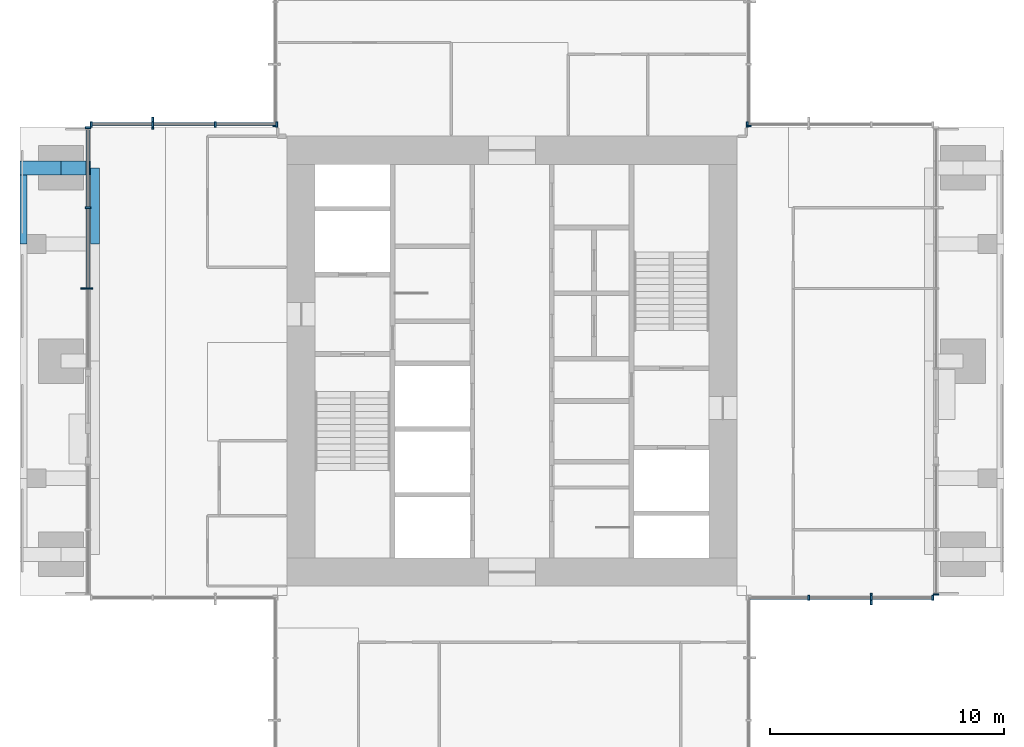
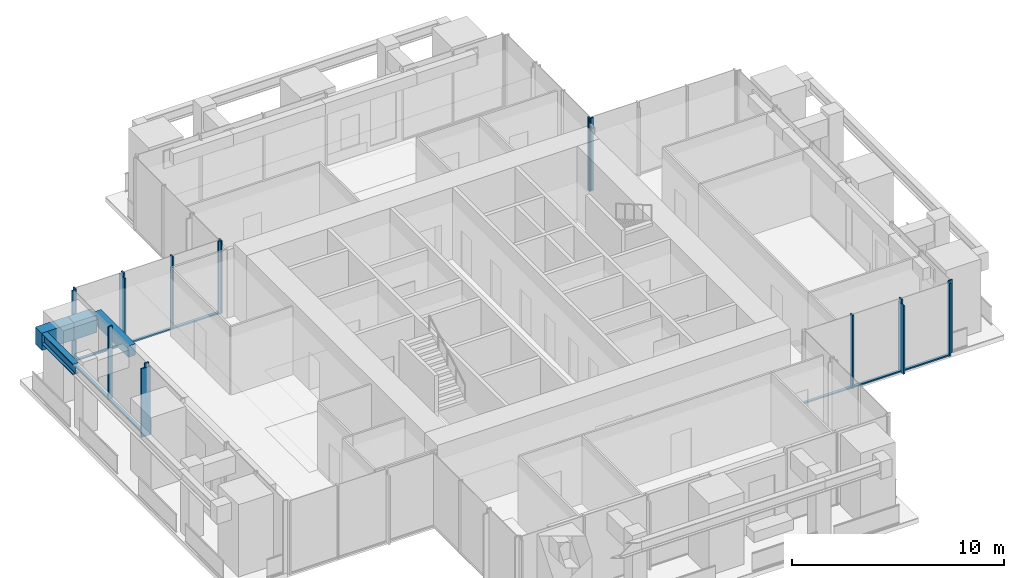
# One storey, part 3 of 12: 25 members, 4 beams, 7 elements without a shape of their own.
"""IFC4 building model written with IfcOpenShell, lengths in metres."""

from ifc_helpers import new_model, si_unit, direction, frame, origin, origin_2d, place, context, subcontext, project, spatial, rectangle, i_section, extrude, material, material_profile, profile_set, type_object, element, aggregate, save


model = new_model("IFC4")

# Units and contexts
model_context = context("Model", 3, precision=1e-05, world=origin(), true_north=direction((0.0, 1.0)))
body_context = subcontext(model_context, "Body", "Model", "MODEL_VIEW")
ifc_project = project(units=[si_unit("LENGTHUNIT", "METRE"), si_unit("AREAUNIT", "SQUARE_METRE"), si_unit("VOLUMEUNIT", "CUBIC_METRE"), si_unit("PLANEANGLEUNIT", "RADIAN"), si_unit("MASSUNIT", "GRAM", prefix="KILO")], contexts=[model_context])

# Site, building, storey
site_placement = place(None, origin())
site = spatial("IfcSite", under=ifc_project, at=site_placement, CompositionType="ELEMENT")
building_placement = place(site_placement, origin())
building = spatial("IfcBuilding", under=site, at=building_placement, Name="Svetlomir Tower", CompositionType="ELEMENT")
storey_placement = place(building_placement, frame((0.0, 0.0, 244.0)))
storey = spatial("IfcBuildingStorey", under=building, at=storey_placement, Name="L58", CompositionType="ELEMENT", Elevation=244.0)

# Curtain wall, member
ifc_material_1 = material(Name="Bronze anodised aluminium curtain wall", Category="aluminium")
curtain_wall_type = type_object("IfcCurtainWallType", Name="CURTAIN WALL CW4 EXECUTIVE", PredefinedType="NOTDEFINED", material=ifc_material_1)
curtain_wall_1_placement = place(storey_placement, origin())
curtain_wall_1 = element("IfcCurtainWall", 1, at=curtain_wall_1_placement, inside=storey, type_object=curtain_wall_type, Name="Curtain wall CW4 L58", PredefinedType="NOTDEFINED")
ifc_material_2 = material(Name="Bronze anodised aluminium", Category="aluminium")
ifc_material_profile_1 = material_profile(ifc_material_2, rectangle(XDim=0.080078125, YDim=0.5, at=origin_2d()), Name="FIN 80x500")
ifc_profile_set_1 = profile_set([ifc_material_profile_1], Name="Bronze anodised aluminium 6063-T6")
member_type_1 = type_object("IfcMemberType", Name="BRONZE FIN 80x500", PredefinedType="USERDEFINED", material=ifc_profile_set_1)
member_1_placement = place(storey_placement, frame((36.333251953125, 10.85009765625, 0.0), z_axis=(0.0, 0.0, 1.0), x_axis=(1.0, 0.0, 0.0)))
member_1 = element("IfcMember", 2, at=member_1_placement, type_object=member_type_1, Name="Bronze fin L58", ObjectType="FIN", PredefinedType="USERDEFINED", context=body_context, shape_type="SweptSolid", body=[
    extrude(rectangle(XDim=0.080078125, YDim=0.5, at=origin_2d()), origin(), (0.0, 0.0, 1.0), 3.949951171875),
])

curtain_wall_2_placement = place(storey_placement, origin())
curtain_wall_2 = element("IfcCurtainWall", 3, at=curtain_wall_2_placement, inside=storey, type_object=curtain_wall_type, Name="Curtain wall CW4 L58", PredefinedType="NOTDEFINED")
member_2_placement = place(storey_placement, frame((5.666748046875, 31.14990234375, 0.0), z_axis=(0.0, 0.0, 1.0), x_axis=(1.0, 0.0, 0.0)))
member_2 = element("IfcMember", 4, at=member_2_placement, type_object=member_type_1, Name="Bronze fin L58", ObjectType="FIN", PredefinedType="USERDEFINED", context=body_context, shape_type="SweptSolid", body=[
    extrude(rectangle(XDim=0.080078125, YDim=0.5, at=origin_2d()), origin(), (0.0, 0.0, 1.0), 3.949951171875),
])

curtain_wall_3_placement = place(storey_placement, origin())
curtain_wall_3 = element("IfcCurtainWall", 5, at=curtain_wall_3_placement, inside=storey, type_object=curtain_wall_type, Name="Curtain wall CW4 L58", PredefinedType="NOTDEFINED")
member_3_placement = place(storey_placement, frame((2.85009765625, 24.10009765625, 0.0), z_axis=(0.0, 0.0, 1.0), x_axis=(0.0, 1.0, 0.0)))
member_3 = element("IfcMember", 6, at=member_3_placement, type_object=member_type_1, Name="Bronze fin L58", ObjectType="FIN", PredefinedType="USERDEFINED", context=body_context, shape_type="SweptSolid", body=[
    extrude(rectangle(XDim=0.080078125, YDim=0.5, at=origin_2d()), origin(), (0.0, 0.0, 1.0), 3.949951171875),
])

# Member
ifc_material_3 = material(Name="Bronze anodised aluminium", Category="aluminium")
ifc_material_profile_2 = material_profile(ifc_material_3, rectangle(XDim=0.074951171875, YDim=0.219970703125, at=origin_2d()), Name="AL 75x220")
ifc_profile_set_2 = profile_set([ifc_material_profile_2], Name="Bronze anodised aluminium 6063-T6")
member_type_2 = type_object("IfcMemberType", Name="CW4 MULLION 75x220", PredefinedType="MULLION", material=ifc_profile_set_2)
member_4_placement = place(storey_placement, frame((33.666748046875, 10.89990234375, 0.0), z_axis=(0.0, 0.0, 1.0), x_axis=(1.0, 0.0, 0.0)))
member_4 = element("IfcMember", 7, at=member_4_placement, type_object=member_type_2, Name="CW4 mullion 2", PredefinedType="MULLION", context=body_context, shape_type="SweptSolid", body=[
    extrude(rectangle(XDim=0.074951171875, YDim=0.219970703125, at=origin_2d()), origin(), (0.0, 0.0, 1.0), 4.199951171875),
])

member_5_placement = place(storey_placement, frame((36.333251953125, 10.89990234375, 0.0), z_axis=(0.0, 0.0, 1.0), x_axis=(1.0, 0.0, 0.0)))
member_5 = element("IfcMember", 8, at=member_5_placement, type_object=member_type_2, Name="CW4 mullion 3", PredefinedType="MULLION", context=body_context, shape_type="SweptSolid", body=[
    extrude(rectangle(XDim=0.074951171875, YDim=0.219970703125, at=origin_2d()), origin(), (0.0, 0.0, 1.0), 4.199951171875),
])

member_6_placement = place(storey_placement, frame((38.96240234375, 10.89990234375, 0.0), z_axis=(0.0, 0.0, 1.0), x_axis=(1.0, 0.0, 0.0)))
member_6 = element("IfcMember", 9, at=member_6_placement, type_object=member_type_2, Name="CW4 mullion 4", PredefinedType="MULLION", context=body_context, shape_type="SweptSolid", body=[
    extrude(rectangle(XDim=0.074951171875, YDim=0.219970703125, at=origin_2d()), origin(), (0.0, 0.0, 1.0), 4.199951171875),
])

# Curtain wall, member
curtain_wall_4_placement = place(storey_placement, origin())
curtain_wall_4 = element("IfcCurtainWall", 10, at=curtain_wall_4_placement, inside=storey, type_object=curtain_wall_type, Name="Curtain wall CW4 L58", PredefinedType="NOTDEFINED")
member_7_placement = place(storey_placement, frame((39.10009765625, 11.03759765625, 0.0), z_axis=(0.0, 0.0, 1.0), x_axis=(0.0, 1.0, 0.0)))
member_7 = element("IfcMember", 11, at=member_7_placement, type_object=member_type_2, Name="CW4 mullion 1", PredefinedType="MULLION", context=body_context, shape_type="SweptSolid", body=[
    extrude(rectangle(XDim=0.074951171875, YDim=0.219970703125, at=origin_2d()), origin(), (0.0, 0.0, 1.0), 4.199951171875),
])
aggregate(curtain_wall_4, [member_7])

curtain_wall_5_placement = place(storey_placement, origin())
curtain_wall_5 = element("IfcCurtainWall", 12, at=curtain_wall_5_placement, inside=storey, type_object=curtain_wall_type, Name="Curtain wall CW4 L58", PredefinedType="NOTDEFINED")
member_8_placement = place(storey_placement, frame((31.03759765625, 31.10009765625, 0.0), z_axis=(0.0, 0.0, 1.0), x_axis=(-1.0, 0.0, 0.0)))
member_8 = element("IfcMember", 13, at=member_8_placement, type_object=member_type_2, Name="CW4 mullion 4", PredefinedType="MULLION", context=body_context, shape_type="SweptSolid", body=[
    extrude(rectangle(XDim=0.074951171875, YDim=0.219970703125, at=origin_2d()), origin(), (0.0, 0.0, 1.0), 4.199951171875),
])
aggregate(curtain_wall_5, [member_8])

curtain_wall_6_placement = place(storey_placement, origin())
curtain_wall_6 = element("IfcCurtainWall", 14, at=curtain_wall_6_placement, inside=storey, type_object=curtain_wall_type, Name="Curtain wall CW4 L58", PredefinedType="NOTDEFINED")
member_9_placement = place(storey_placement, frame((31.10009765625, 31.03759765625, 0.0), z_axis=(0.0, 0.0, 1.0), x_axis=(0.0, 1.0, 0.0)))
member_9 = element("IfcMember", 15, at=member_9_placement, type_object=member_type_2, Name="CW4 mullion 1", PredefinedType="MULLION", context=body_context, shape_type="SweptSolid", body=[
    extrude(rectangle(XDim=0.074951171875, YDim=0.219970703125, at=origin_2d()), origin(), (0.0, 0.0, 1.0), 4.199951171875),
])
aggregate(curtain_wall_6, [member_9])

curtain_wall_7_placement = place(storey_placement, origin())
curtain_wall_7 = element("IfcCurtainWall", 16, at=curtain_wall_7_placement, inside=storey, type_object=curtain_wall_type, Name="Curtain wall CW4 L58", PredefinedType="NOTDEFINED")
member_10_placement = place(storey_placement, frame((10.89990234375, 31.03759765625, 0.0), z_axis=(0.0, 0.0, 1.0), x_axis=(0.0, -1.0, 0.0)))
member_10 = element("IfcMember", 17, at=member_10_placement, type_object=member_type_2, Name="CW4 mullion 4", PredefinedType="MULLION", context=body_context, shape_type="SweptSolid", body=[
    extrude(rectangle(XDim=0.074951171875, YDim=0.219970703125, at=origin_2d()), origin(), (0.0, 0.0, 1.0), 4.199951171875),
])
aggregate(curtain_wall_7, [member_10])

# Member
member_11_placement = place(storey_placement, frame((10.96240234375, 31.10009765625, 0.0), z_axis=(0.0, 0.0, 1.0), x_axis=(-1.0, 0.0, 0.0)))
member_11 = element("IfcMember", 18, at=member_11_placement, type_object=member_type_2, Name="CW4 mullion 1", PredefinedType="MULLION", context=body_context, shape_type="SweptSolid", body=[
    extrude(rectangle(XDim=0.074951171875, YDim=0.219970703125, at=origin_2d()), origin(), (0.0, 0.0, 1.0), 4.199951171875),
])

member_12_placement = place(storey_placement, frame((8.333251953125, 31.10009765625, 0.0), z_axis=(0.0, 0.0, 1.0), x_axis=(-1.0, 0.0, 0.0)))
member_12 = element("IfcMember", 19, at=member_12_placement, type_object=member_type_2, Name="CW4 mullion 2", PredefinedType="MULLION", context=body_context, shape_type="SweptSolid", body=[
    extrude(rectangle(XDim=0.074951171875, YDim=0.219970703125, at=origin_2d()), origin(), (0.0, 0.0, 1.0), 4.199951171875),
])

member_13_placement = place(storey_placement, frame((5.666748046875, 31.10009765625, 0.0), z_axis=(0.0, 0.0, 1.0), x_axis=(-1.0, 0.0, 0.0)))
member_13 = element("IfcMember", 20, at=member_13_placement, type_object=member_type_2, Name="CW4 mullion 3", PredefinedType="MULLION", context=body_context, shape_type="SweptSolid", body=[
    extrude(rectangle(XDim=0.074951171875, YDim=0.219970703125, at=origin_2d()), origin(), (0.0, 0.0, 1.0), 4.199951171875),
])

member_14_placement = place(storey_placement, frame((3.03759765625, 31.10009765625, 0.0), z_axis=(0.0, 0.0, 1.0), x_axis=(-1.0, 0.0, 0.0)))
member_14 = element("IfcMember", 21, at=member_14_placement, type_object=member_type_2, Name="CW4 mullion 4", PredefinedType="MULLION", context=body_context, shape_type="SweptSolid", body=[
    extrude(rectangle(XDim=0.074951171875, YDim=0.219970703125, at=origin_2d()), origin(), (0.0, 0.0, 1.0), 4.199951171875),
])

member_15_placement = place(storey_placement, frame((2.89990234375, 30.96240234375, 0.0), z_axis=(0.0, 0.0, 1.0), x_axis=(0.0, -1.0, 0.0)))
member_15 = element("IfcMember", 22, at=member_15_placement, type_object=member_type_2, Name="CW4 mullion 1", PredefinedType="MULLION", context=body_context, shape_type="SweptSolid", body=[
    extrude(rectangle(XDim=0.074951171875, YDim=0.219970703125, at=origin_2d()), origin(), (0.0, 0.0, 1.0), 4.199951171875),
])

member_16_placement = place(storey_placement, frame((2.89990234375, 27.550048828125, 0.0), z_axis=(0.0, 0.0, 1.0), x_axis=(0.0, -1.0, 0.0)))
member_16 = element("IfcMember", 23, at=member_16_placement, type_object=member_type_2, Name="CW4 mullion 2", PredefinedType="MULLION", context=body_context, shape_type="SweptSolid", body=[
    extrude(rectangle(XDim=0.074951171875, YDim=0.219970703125, at=origin_2d()), origin(), (0.0, 0.0, 1.0), 4.199951171875),
])

member_17_placement = place(storey_placement, frame((2.89990234375, 24.10009765625, 0.0), z_axis=(0.0, 0.0, 1.0), x_axis=(0.0, -1.0, 0.0)))
member_17 = element("IfcMember", 24, at=member_17_placement, type_object=member_type_2, Name="CW4 mullion 3", PredefinedType="MULLION", context=body_context, shape_type="SweptSolid", body=[
    extrude(rectangle(XDim=0.074951171875, YDim=0.219970703125, at=origin_2d()), origin(), (0.0, 0.0, 1.0), 4.199951171875),
])

ifc_material_4 = material(Name="Bronze anodised aluminium", Category="aluminium")
ifc_material_profile_3 = material_profile(ifc_material_4, rectangle(XDim=0.14990234375, YDim=0.074951171875, at=origin_2d()), Name="AL 150x75")
ifc_profile_set_3 = profile_set([ifc_material_profile_3], Name="Bronze anodised aluminium 6063-T6")
member_type_3 = type_object("IfcMemberType", Name="CW4 TRANSOM 75x150", PredefinedType="USERDEFINED", material=ifc_profile_set_3)
member_18_placement = place(storey_placement, frame((31.074951171875, 10.89990234375, 0.03759765625), z_axis=(1.0, 0.0, 0.0), x_axis=(0.0, 1.0, 0.0)))
member_18 = element("IfcMember", 25, at=member_18_placement, type_object=member_type_3, Name="CW4 transom 1.1", ObjectType="TRANSOM", PredefinedType="USERDEFINED", context=body_context, shape_type="SweptSolid", body=[
    extrude(rectangle(XDim=0.14990234375, YDim=0.074951171875, at=origin_2d()), origin(), (0.0, 0.0, 1.0), 2.55419921875),
])

member_19_placement = place(storey_placement, frame((33.7041015625, 10.89990234375, 0.03759765625), z_axis=(1.0, 0.0, 0.0), x_axis=(0.0, 1.0, 0.0)))
member_19 = element("IfcMember", 26, at=member_19_placement, type_object=member_type_3, Name="CW4 transom 2.1", ObjectType="TRANSOM", PredefinedType="USERDEFINED", context=body_context, shape_type="SweptSolid", body=[
    extrude(rectangle(XDim=0.14990234375, YDim=0.074951171875, at=origin_2d()), origin(), (0.0, 0.0, 1.0), 2.591796875),
])

member_20_placement = place(storey_placement, frame((36.370849609375, 10.89990234375, 0.03759765625), z_axis=(1.0, 0.0, 0.0), x_axis=(0.0, 1.0, 0.0)))
member_20 = element("IfcMember", 27, at=member_20_placement, type_object=member_type_3, Name="CW4 transom 3.1", ObjectType="TRANSOM", PredefinedType="USERDEFINED", context=body_context, shape_type="SweptSolid", body=[
    extrude(rectangle(XDim=0.14990234375, YDim=0.074951171875, at=origin_2d()), origin(), (0.0, 0.0, 1.0), 2.55419921875),
])

aggregate(curtain_wall_1, [member_4, member_5, member_6, member_18, member_19, member_20, member_1])

member_21_placement = place(storey_placement, frame((10.925048828125, 31.10009765625, 0.03759765625), z_axis=(-1.0, 0.0, 0.0), x_axis=(0.0, -1.0, 0.0)))
member_21 = element("IfcMember", 28, at=member_21_placement, type_object=member_type_3, Name="CW4 transom 1.1", ObjectType="TRANSOM", PredefinedType="USERDEFINED", context=body_context, shape_type="SweptSolid", body=[
    extrude(rectangle(XDim=0.14990234375, YDim=0.074951171875, at=origin_2d()), origin(), (0.0, 0.0, 1.0), 2.55419921875),
])

member_22_placement = place(storey_placement, frame((8.2958984375, 31.10009765625, 0.03759765625), z_axis=(-1.0, 0.0, 0.0), x_axis=(0.0, -1.0, 0.0)))
member_22 = element("IfcMember", 29, at=member_22_placement, type_object=member_type_3, Name="CW4 transom 2.1", ObjectType="TRANSOM", PredefinedType="USERDEFINED", context=body_context, shape_type="SweptSolid", body=[
    extrude(rectangle(XDim=0.14990234375, YDim=0.074951171875, at=origin_2d()), origin(), (0.0, 0.0, 1.0), 2.591796875),
])

member_23_placement = place(storey_placement, frame((5.629150390625, 31.10009765625, 0.03759765625), z_axis=(-1.0, 0.0, 0.0), x_axis=(0.0, -1.0, 0.0)))
member_23 = element("IfcMember", 30, at=member_23_placement, type_object=member_type_3, Name="CW4 transom 3.1", ObjectType="TRANSOM", PredefinedType="USERDEFINED", context=body_context, shape_type="SweptSolid", body=[
    extrude(rectangle(XDim=0.14990234375, YDim=0.074951171875, at=origin_2d()), origin(), (0.0, 0.0, 1.0), 2.55419921875),
])

aggregate(curtain_wall_2, [member_11, member_12, member_13, member_14, member_21, member_22, member_23, member_2])

member_24_placement = place(storey_placement, frame((2.89990234375, 30.925048828125, 0.03759765625), z_axis=(0.0, -1.0, 0.0), x_axis=(1.0, 0.0, 0.0)))
member_24 = element("IfcMember", 31, at=member_24_placement, type_object=member_type_3, Name="CW4 transom 1.1", ObjectType="TRANSOM", PredefinedType="USERDEFINED", context=body_context, shape_type="SweptSolid", body=[
    extrude(rectangle(XDim=0.14990234375, YDim=0.074951171875, at=origin_2d()), origin(), (0.0, 0.0, 1.0), 3.337646484375),
])

member_25_placement = place(storey_placement, frame((2.89990234375, 27.512451171875, 0.03759765625), z_axis=(0.0, -1.0, 0.0), x_axis=(1.0, 0.0, 0.0)))
member_25 = element("IfcMember", 32, at=member_25_placement, type_object=member_type_3, Name="CW4 transom 2.1", ObjectType="TRANSOM", PredefinedType="USERDEFINED", context=body_context, shape_type="SweptSolid", body=[
    extrude(rectangle(XDim=0.14990234375, YDim=0.074951171875, at=origin_2d()), origin(), (0.0, 0.0, 1.0), 3.375),
])

aggregate(curtain_wall_3, [member_15, member_16, member_17, member_24, member_25, member_3])

# Beams
ifc_material_5 = material(Name="Steel S355", Category="steel")
ifc_material_profile_4 = material_profile(ifc_material_5, i_section(OverallWidth=0.304931640625, OverallDepth=0.6201171875, WebThickness=0.02099609375, FlangeThickness=0.0400390625, FilletRadius=0.027099609375, at=origin_2d()), Name="HEM 600")
ifc_profile_set_4 = profile_set([ifc_material_profile_4], Name="Steel S355")
beam_type_1 = type_object("IfcBeamType", Name="EDGE BEAM HEM 600", PredefinedType="SPANDREL", material=ifc_profile_set_4)
beam_1_placement = place(storey_placement, frame((0.152587890625, 26.0, 3.639892578125), z_axis=(0.0, 1.0, 0.0), x_axis=(-1.0, 0.0, 0.0)))
element("IfcBeam", 33, at=beam_1_placement, inside=storey, type_object=beam_type_1, Name="Edge beam 0/26 to 0/31 under L59", PredefinedType="SPANDREL", context=body_context, shape_type="SweptSolid", body=[
    extrude(i_section(OverallWidth=0.304931640625, OverallDepth=0.6201171875, WebThickness=0.02099609375, FlangeThickness=0.0400390625, FilletRadius=0.027099609375, at=origin_2d()), origin(), (0.0, 0.0, 1.0), 2.949951171875),
])
ifc_material_6 = material(Name="Concrete C60/75", Category="concrete")
ifc_material_profile_5 = material_profile(ifc_material_6, rectangle(XDim=0.60009765625, YDim=1.0, at=origin_2d()), Name="RC 600x1000")
ifc_profile_set_5 = profile_set([ifc_material_profile_5], Name="Concrete C60/75")
beam_type_2 = type_object("IfcBeamType", Name="EDGE LINK BEAM RC 600x1000", PredefinedType="BEAM", material=ifc_profile_set_5)
beam_2_placement = place(storey_placement, frame((1.75, 29.25, 3.449951171875), z_axis=(-1.0, 0.0, 0.0), x_axis=(0.0, -1.0, 0.0)))
element("IfcBeam", 34, at=beam_2_placement, inside=storey, type_object=beam_type_2, Name="Edge link beam W 0/31 under L59", PredefinedType="BEAM", context=body_context, shape_type="SweptSolid", body=[
    extrude(rectangle(XDim=0.60009765625, YDim=1.0, at=origin_2d()), origin(), (0.0, 0.0, 1.0), 1.75),
])
ifc_material_7 = material(Name="Concrete C60/75", Category="concrete")
ifc_material_profile_6 = material_profile(ifc_material_7, rectangle(XDim=0.39990234375, YDim=0.64990234375, at=origin_2d()), Name="RC 400x650")
ifc_profile_set_6 = profile_set([ifc_material_profile_6], Name="Concrete C60/75")
beam_type_3 = type_object("IfcBeamType", Name="FACADE EDGE BEAM RC 400x650", PredefinedType="BEAM", material=ifc_profile_set_6)
beam_3_placement = place(storey_placement, frame((3.199951171875, 26.0, 3.625), z_axis=(0.0, 1.0, 0.0), x_axis=(-1.0, 0.0, 0.0)))
element("IfcBeam", 35, at=beam_3_placement, inside=storey, type_object=beam_type_3, Name="Facade edge beam W 26 to 31 under L59", PredefinedType="BEAM", context=body_context, shape_type="SweptSolid", body=[
    extrude(rectangle(XDim=0.39990234375, YDim=0.64990234375, at=origin_2d()), origin(), (0.0, 0.0, 1.0), 3.25),
])
ifc_material_8 = material(Name="Concrete C60/75", Category="concrete")
ifc_material_profile_7 = material_profile(ifc_material_8, rectangle(XDim=0.60009765625, YDim=1.0, at=origin_2d()), Name="RC 600x1000")
ifc_profile_set_7 = profile_set([ifc_material_profile_7], Name="Concrete C60/75")
beam_type_4 = type_object("IfcBeamType", Name="LOGGIA LINK BEAM RC 600x1000", PredefinedType="BEAM", material=ifc_profile_set_7)
beam_4_placement = place(storey_placement, frame((1.75, 29.25, 3.449951171875), z_axis=(1.0, 0.0, 0.0), x_axis=(0.0, 1.0, 0.0)))
element("IfcBeam", 36, at=beam_4_placement, inside=storey, type_object=beam_type_4, Name="Loggia link beam W 31 under L59", PredefinedType="BEAM", context=body_context, shape_type="SweptSolid", body=[
    extrude(rectangle(XDim=0.60009765625, YDim=1.0, at=origin_2d()), origin(), (0.0, 0.0, 1.0), 1.25),
])

save(model, "model.ifc")
